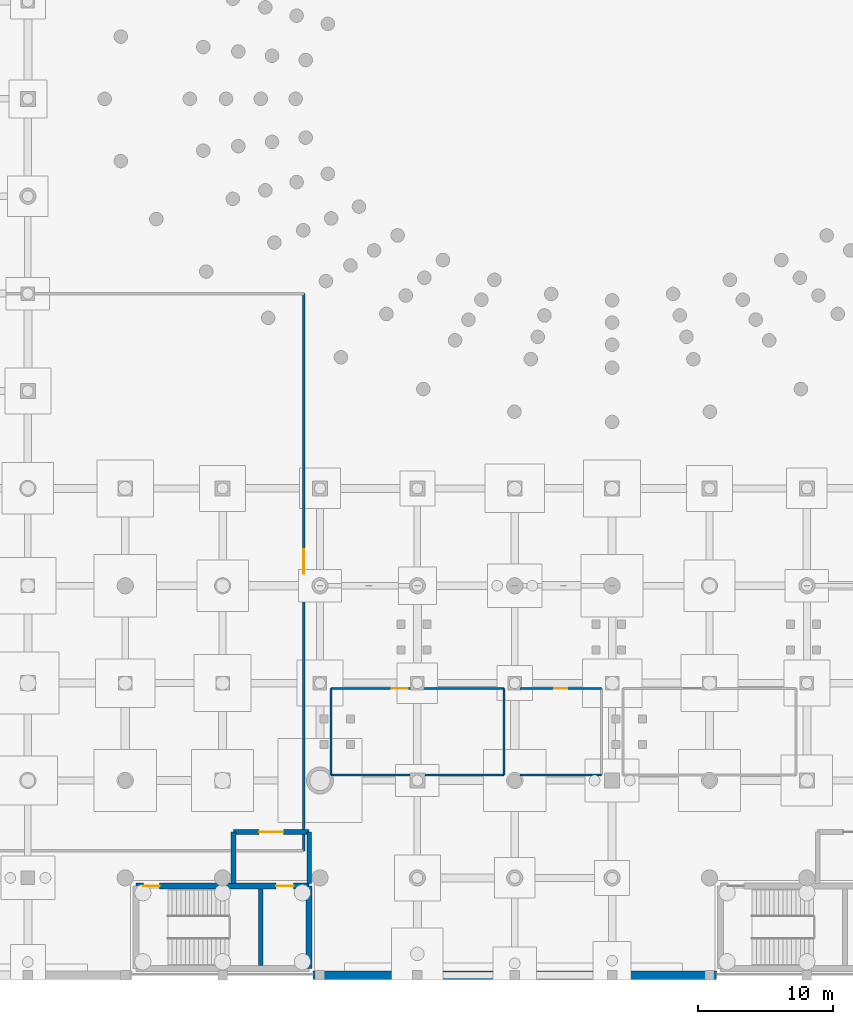
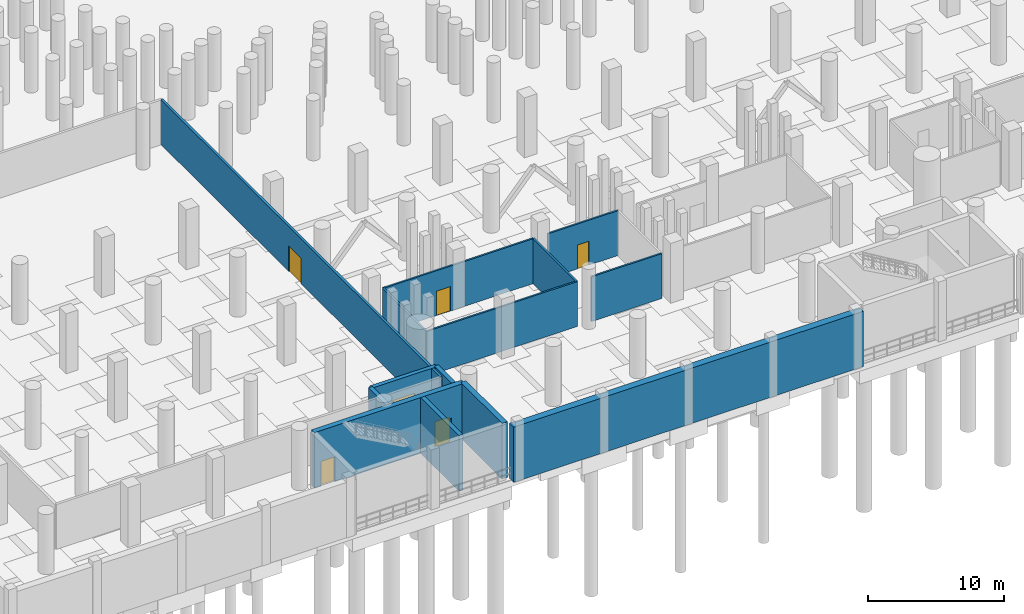
# One storey, part 22 of 37: 14 walls, 6 doors, 6 openings.
"""IFC4 building model written with IfcOpenShell, lengths in metres."""

import ifcopenshell
import ifcopenshell.guid

model = None  # the IFC model being written
_history = None  # IfcOwnerHistory: only IFC2X3 demands one
_inside = {}  # id of a spatial element -> (the spatial element, [elements in it])
_under = {}  # id of a project, library or spatial element -> (it, [spatial elements below it])
_declared = {}  # id of a project -> (the project, [libraries it declares])
_typed = {}  # id of a type object -> (the type object, [elements of that type])
_made_of = {}  # id of a material, layer set ... -> (it, [elements and type objects made of it])


def new_model(schema):
    """Start an empty IFC model of exactly this schema.

    Asked for "IFC4X3", IfcOpenShell would pick the latest addendum, in which some entities
    have other attributes; the version numbers below select the first issue.
    IFC2X3 requires an IfcOwnerHistory on every rooted entity: one is made here for all.
    """
    global model, _history
    if schema == "IFC4X3":
        model = ifcopenshell.file(schema_version=(4, 3, 0, 0))
    else:
        model = ifcopenshell.file(schema=schema)
    _inside.clear()
    _under.clear()
    _declared.clear()
    _typed.clear()
    _made_of.clear()
    _history = None
    if model.schema == "IFC2X3":
        org = make("IfcOrganization", Name="unknown")
        user = make(
            "IfcPersonAndOrganization",
            ThePerson=make("IfcPerson", FamilyName="unknown"),
            TheOrganization=org,
        )
        app = make(
            "IfcApplication",
            ApplicationDeveloper=org,
            Version="unknown",
            ApplicationFullName="unknown",
            ApplicationIdentifier="unknown",
        )
        _history = make(
            "IfcOwnerHistory",
            OwningUser=user,
            OwningApplication=app,
            ChangeAction="ADDED",
            CreationDate=0,
        )
    return model


def make(cls, **values):
    """One entity of the class cls with the attributes given. An attribute that is None is left unset."""
    return model.create_entity(
        cls, **{name: value for name, value in values.items() if value is not None}
    )


def rooted(cls, **values):
    """An entity with a GlobalId (a new one), such as an element, a storey or a relation."""
    return make(cls, GlobalId=ifcopenshell.guid.new(), OwnerHistory=_history, **values)


def si_unit(unit_type, name, prefix=None):
    """IfcSIUnit, for example si_unit("LENGTHUNIT", "METRE", prefix="MILLI")."""
    return make("IfcSIUnit", UnitType=unit_type, Prefix=prefix, Name=name)


def assignment(units):
    """IfcUnitAssignment: the units of a project."""
    return None if units is None else make("IfcUnitAssignment", Units=units)


def point(xyz):
    """IfcCartesianPoint."""
    return None if xyz is None else make("IfcCartesianPoint", Coordinates=xyz)


def direction(xyz):
    """IfcDirection."""
    return None if xyz is None else make("IfcDirection", DirectionRatios=xyz)


def frame(location, z_axis=None, x_axis=None):
    """IfcAxis2Placement3D, a coordinate frame: its origin and axes. An axis left out is left unset."""
    return make(
        "IfcAxis2Placement3D",
        Location=point(location),
        Axis=direction(z_axis),
        RefDirection=direction(x_axis),
    )


def frame_2d(location, x_axis=None):
    """IfcAxis2Placement2D, a coordinate frame in the plane: its origin and x axis."""
    return make(
        "IfcAxis2Placement2D", Location=point(location), RefDirection=direction(x_axis)
    )


def origin():
    """The frame at (0, 0, 0) with its axes left unset."""
    return frame((0.0, 0.0, 0.0))


def place(relative_to, where):
    """IfcLocalPlacement: puts the frame where relative to a parent placement (None: the world)."""
    return make(
        "IfcLocalPlacement", PlacementRelTo=relative_to, RelativePlacement=where
    )


def context(
    kind, dimensions, precision=None, world=None, true_north=None, identifier=None
):
    """IfcGeometricRepresentationContext, for example the 3D "Model" context."""
    return make(
        "IfcGeometricRepresentationContext",
        ContextIdentifier=identifier,
        ContextType=kind,
        CoordinateSpaceDimension=dimensions,
        Precision=precision,
        WorldCoordinateSystem=world,
        TrueNorth=true_north,
    )


def subcontext(parent, identifier, kind, view, scale=None):
    """IfcGeometricRepresentationSubContext, for example "Body" below "Model"."""
    return make(
        "IfcGeometricRepresentationSubContext",
        ContextIdentifier=identifier,
        ContextType=kind,
        ParentContext=parent,
        TargetScale=scale,
        TargetView=view,
    )


def project(units=None, contexts=None):
    """IfcProject with its units and contexts."""
    return rooted(
        "IfcProject",
        Name="project",
        RepresentationContexts=contexts,
        UnitsInContext=assignment(units),
    )


def spatial(cls, under=None, at=None, **own):
    """A site, building, storey or space (cls), placed at a placement, below another one or the project."""
    s = rooted(cls, ObjectPlacement=at, **own)
    if under is not None:
        _under.setdefault(under.id(), (under, []))[1].append(s)
    return s


def profile(cls, at=None, kind="AREA", **sizes):
    """A parametric profile (cls). Its sizes go by their IFC names, for example OverallWidth=200.0."""
    return make(cls, ProfileType=kind, Position=at, **sizes)


def rectangle(**sizes):
    """IfcRectangleProfileDef."""
    return profile("IfcRectangleProfileDef", **sizes)


def extrude(swept, where, along, depth):
    """IfcExtrudedAreaSolid: the profile swept, set in the frame where, extruded along a direction by depth."""
    return make(
        "IfcExtrudedAreaSolid",
        SweptArea=swept,
        Position=where,
        ExtrudedDirection=direction(along),
        Depth=depth,
    )


def shape(context_of_items, identifier, shape_type, items):
    """IfcShapeRepresentation: the items that make up one representation, for example the "Body"."""
    return make(
        "IfcShapeRepresentation",
        ContextOfItems=context_of_items,
        RepresentationIdentifier=identifier,
        RepresentationType=shape_type,
        Items=items,
    )


def material(Name=None, Category=None):
    """IfcMaterial."""
    return make("IfcMaterial", Name=Name, Category=Category)


def layer(
    of_material, thickness, ventilated=None, Name=None, Category=None, Priority=None
):
    """IfcMaterialLayer: one layer of a wall or slab, of a material (None: an air gap)."""
    return make(
        "IfcMaterialLayer",
        Material=of_material,
        LayerThickness=thickness,
        IsVentilated=ventilated,
        Name=Name,
        Category=Category,
        Priority=Priority,
    )


def layer_set(layers, Name=None):
    """IfcMaterialLayerSet."""
    return make("IfcMaterialLayerSet", MaterialLayers=layers, LayerSetName=Name)


def made_of(thing, what):
    """Note that an element or type object is made of a material, layer set ...; save() writes the relation."""
    if what is not None:
        _made_of.setdefault(what.id(), (what, []))[1].append(thing)
    return thing


def type_object(cls, material=None, **own):
    """A type object (cls), such as IfcWallType, which elements share."""
    return made_of(rooted(cls, **own), material)


def element(
    cls,
    number,
    at=None,
    inside=None,
    cuts=None,
    type_object=None,
    material=None,
    context=None,
    identifier="Body",
    shape_type=None,
    held_by="IfcProductDefinitionShape",
    body=None,
    shapes=None,
    **own,
):
    """One element of the class cls, such as IfcWall. Its Tag is "e" and its number.

    at: its placement. inside: the storey or other place that contains it. cuts: it is an
    opening in that element (IfcRelVoidsElement). A single representation is given by context,
    identifier, shape_type and body (its items); several are given by shapes. held_by: the class
    of the entity that holds the representations. save() writes the other relations.
    """
    e = rooted(cls, Tag="e%d" % number, ObjectPlacement=at, **own)
    if body is not None:
        shapes = [shape(context, identifier, shape_type, body)]
    if shapes is not None:
        e.Representation = make(held_by, Representations=shapes)
    if inside is not None:
        _inside.setdefault(inside.id(), (inside, []))[1].append(e)
    if cuts is not None:
        rooted(
            "IfcRelVoidsElement", RelatingBuildingElement=cuts, RelatedOpeningElement=e
        )
    if type_object is not None:
        _typed.setdefault(type_object.id(), (type_object, []))[1].append(e)
    return made_of(e, material)


def fill(opening, filler):
    """IfcRelFillsElement: the door or window that sits in an opening."""
    return rooted(
        "IfcRelFillsElement",
        RelatingOpeningElement=opening,
        RelatedBuildingElement=filler,
    )


def aggregate(whole, parts):
    """IfcRelAggregates: a whole, such as a stair, and the parts it consists of."""
    return rooted("IfcRelAggregates", RelatingObject=whole, RelatedObjects=parts)


def save(model, path):
    """Write the relations noted so far, then the file.

    IfcRelAggregates (storeys below a building ...), IfcRelContainedInSpatialStructure (elements
    in a storey), IfcRelDefinesByType, IfcRelAssociatesMaterial and IfcRelDeclares: one each for
    every whole, place, type object, material and project.
    """
    for whole, parts in _under.values():
        aggregate(whole, parts)
    for where, things in _inside.values():
        rooted(
            "IfcRelContainedInSpatialStructure",
            RelatedElements=things,
            RelatingStructure=where,
        )
    for kind, things in _typed.values():
        rooted("IfcRelDefinesByType", RelatedObjects=things, RelatingType=kind)
    for what, things in _made_of.values():
        rooted("IfcRelAssociatesMaterial", RelatedObjects=things, RelatingMaterial=what)
    for by, libraries in _declared.values():
        rooted("IfcRelDeclares", RelatingContext=by, RelatedDefinitions=libraries)
    model.write(path)


model = new_model("IFC4")

# Units and contexts
model_context = context("Model", 3, precision=1e-05, world=origin(), true_north=direction((0.0, 1.0)))
body_context = subcontext(model_context, "Body", "Model", "MODEL_VIEW")
ifc_project = project(units=[si_unit("LENGTHUNIT", "METRE"), si_unit("AREAUNIT", "SQUARE_METRE"), si_unit("VOLUMEUNIT", "CUBIC_METRE"), si_unit("PLANEANGLEUNIT", "RADIAN"), si_unit("MASSUNIT", "GRAM", prefix="KILO")], contexts=[model_context])

# Site, building, storey
site_placement = place(None, origin())
site = spatial("IfcSite", under=ifc_project, at=site_placement, CompositionType="ELEMENT")
building_placement = place(site_placement, origin())
building = spatial("IfcBuilding", under=site, at=building_placement, Name="Qandorah Velis Arena", CompositionType="ELEMENT")
storey_placement = place(building_placement, frame((0.0, 0.0, -5.39990234375)))
storey = spatial("IfcBuildingStorey", under=building, at=storey_placement, Name="B1", CompositionType="ELEMENT", Elevation=-5.39990234375)

# Wall, opening, door
ifc_material_1 = material(Name="Concrete C35/45", Category="concrete")
ifc_layer_1 = layer(ifc_material_1, 0.199951171875)
ifc_layer_set_1 = layer_set([ifc_layer_1], Name="Concrete C35/45")
wall_type_1 = type_object("IfcWallType", Name="ARC-WAL-FD60-200", PredefinedType="PARTITIONING", material=ifc_layer_set_1)
wall_1_placement = place(storey_placement, frame((42.0, 9.199951171875, 0.0), z_axis=(0.0, 0.0, 1.0), x_axis=(0.0, 1.0, 0.0)))
wall_1 = element("IfcWall", 1, at=wall_1_placement, inside=storey, type_object=wall_type_1, Name="Interior partition B1-CP-HALL (E)", PredefinedType="PARTITIONING", context=body_context, shape_type="SweptSolid", body=[
    extrude(rectangle(XDim=41.199951171875, YDim=0.199951171875, at=frame_2d((20.60009765625, 0.0))), origin(), (0.0, 0.0, 1.0), 4.039794921875),
])
opening_1_placement = place(wall_1_placement, frame((20.5, 0.0, 0.0)))
opening_1 = element("IfcOpeningElement", 2, at=opening_1_placement, cuts=wall_1, Name="Opening FD1", PredefinedType="OPENING", context=body_context, shape_type="SweptSolid", body=[
    extrude(rectangle(XDim=1.800048828125, YDim=2.300048828125, at=frame_2d((0.89990234375, 1.14990234375))), frame((0.0, 0.10986328125, 0.0), z_axis=(0.0, -1.0, 0.0), x_axis=(1.0, 0.0, 0.0)), (0.0, 0.0, 1.0), 0.219970703125),
])
ifc_material_2 = material(Name="Insulated fire-rated double steel door", Category="steel")
door_type_1 = type_object("IfcDoorType", Name="ARC-DR-FD1800", OperationType="NOTDEFINED", PredefinedType="DOOR", material=ifc_material_2)
door_1_placement = place(opening_1_placement, frame((1.800048828125, 0.0, 0.0), z_axis=(0.0, 0.0, 1.0), x_axis=(-1.0, 0.0, 0.0)))
door_1 = element("IfcDoor", 3, at=door_1_placement, inside=storey, type_object=door_type_1, Name="Door B1-CP-HALL", OperationType="DOUBLE_DOOR_SINGLE_SWING", OverallHeight=2.300048828125, OverallWidth=1.800048828125, PredefinedType="DOOR", context=body_context, shape_type="SweptSolid", body=[
    extrude(rectangle(XDim=1.800048828125, YDim=2.300048828125, at=frame_2d((0.89990234375, 1.14990234375))), frame((0.0, 0.02490234375, 0.0), z_axis=(0.0, -1.0, 0.0), x_axis=(1.0, 0.0, 0.0)), (0.0, 0.0, 1.0), 0.050048828125),
])
fill(opening_1, door_1)

# Walls
ifc_layer_2 = layer(ifc_material_1, 0.14990234375)
ifc_layer_set_2 = layer_set([ifc_layer_2], Name="Concrete C35/45")
wall_type_2 = type_object("IfcWallType", Name="ARC-WAL-PART150", PredefinedType="PARTITIONING", material=ifc_layer_set_2)
wall_2_placement = place(storey_placement, frame((44.0, 14.800048828125, 0.0), z_axis=(0.0, 0.0, 1.0), x_axis=(1.0, 0.0, 0.0)))
element("IfcWall", 4, at=wall_2_placement, inside=storey, type_object=wall_type_2, Name="Interior partition B1-ATH-HOME (S)", PredefinedType="PARTITIONING", context=body_context, shape_type="SweptSolid", body=[
    extrude(rectangle(XDim=12.800048828125, YDim=0.14990234375, at=frame_2d((6.39990234375, 0.0))), origin(), (0.0, 0.0, 1.0), 4.039794921875),
])
wall_3_placement = place(storey_placement, frame((56.800048828125, 14.800048828125, 0.0), z_axis=(0.0, 0.0, 1.0), x_axis=(0.0, 1.0, 0.0)))
element("IfcWall", 5, at=wall_3_placement, inside=storey, type_object=wall_type_2, Name="Interior partition B1-ATH-HOME (E)", PredefinedType="PARTITIONING", context=body_context, shape_type="SweptSolid", body=[
    extrude(rectangle(XDim=6.39990234375, YDim=0.14990234375, at=frame_2d((3.199951171875, 0.0))), origin(), (0.0, 0.0, 1.0), 4.039794921875),
])

# Wall, opening, door
wall_4_placement = place(storey_placement, frame((56.800048828125, 21.199951171875, 0.0), z_axis=(0.0, 0.0, 1.0), x_axis=(-1.0, 0.0, 0.0)))
wall_4 = element("IfcWall", 6, at=wall_4_placement, inside=storey, type_object=wall_type_2, Name="Interior partition B1-ATH-HOME (N)", PredefinedType="PARTITIONING", context=body_context, shape_type="SweptSolid", body=[
    extrude(rectangle(XDim=12.800048828125, YDim=0.14990234375, at=frame_2d((6.39990234375, 0.0))), origin(), (0.0, 0.0, 1.0), 4.039794921875),
])
opening_2_placement = place(wall_4_placement, frame((7.10009765625, 0.0, 0.0)))
opening_2 = element("IfcOpeningElement", 7, at=opening_2_placement, cuts=wall_4, Name="Opening D2", PredefinedType="OPENING", context=body_context, shape_type="SweptSolid", body=[
    extrude(rectangle(XDim=1.199951171875, YDim=2.199951171875, at=frame_2d((0.60009765625, 1.10009765625))), frame((0.0, 0.0849609375, 0.0), z_axis=(0.0, -1.0, 0.0), x_axis=(1.0, 0.0, 0.0)), (0.0, 0.0, 1.0), 0.169921875),
])
ifc_material_3 = material(Name="Solid-core hardwood veneer door", Category="wood")
door_type_2 = type_object("IfcDoorType", Name="ARC-DR-INT1200", OperationType="NOTDEFINED", PredefinedType="DOOR", material=ifc_material_3)
door_2_placement = place(opening_2_placement, origin())
door_2 = element("IfcDoor", 8, at=door_2_placement, inside=storey, type_object=door_type_2, Name="Door B1-ATH-HOME", OperationType="SINGLE_SWING_LEFT", OverallHeight=2.199951171875, OverallWidth=1.199951171875, PredefinedType="DOOR", context=body_context, shape_type="SweptSolid", body=[
    extrude(rectangle(XDim=1.199951171875, YDim=2.199951171875, at=frame_2d((0.60009765625, 1.10009765625))), frame((0.0, 0.02490234375, 0.0), z_axis=(0.0, -1.0, 0.0), x_axis=(1.0, 0.0, 0.0)), (0.0, 0.0, 1.0), 0.050048828125),
])
fill(opening_2, door_2)

# Walls
wall_5_placement = place(storey_placement, frame((44.0, 21.199951171875, 0.0), z_axis=(0.0, 0.0, 1.0), x_axis=(0.0, -1.0, 0.0)))
element("IfcWall", 9, at=wall_5_placement, inside=storey, type_object=wall_type_2, Name="Interior partition B1-ATH-HOME (W)", PredefinedType="PARTITIONING", context=body_context, shape_type="SweptSolid", body=[
    extrude(rectangle(XDim=6.39990234375, YDim=0.14990234375, at=frame_2d((3.199951171875, 0.0))), origin(), (0.0, 0.0, 1.0), 4.039794921875),
])
wall_6_placement = place(storey_placement, frame((58.0, 14.800048828125, 0.0), z_axis=(0.0, 0.0, 1.0), x_axis=(1.0, 0.0, 0.0)))
element("IfcWall", 10, at=wall_6_placement, inside=storey, type_object=wall_type_2, Name="Interior partition B1-SHW-HOME (S)", PredefinedType="PARTITIONING", context=body_context, shape_type="SweptSolid", body=[
    extrude(rectangle(XDim=6.0, YDim=0.14990234375, at=frame_2d((3.0, 0.0))), origin(), (0.0, 0.0, 1.0), 4.039794921875),
])

# Wall, opening, door
wall_7_placement = place(storey_placement, frame((64.0, 21.199951171875, 0.0), z_axis=(0.0, 0.0, 1.0), x_axis=(-1.0, 0.0, 0.0)))
wall_7 = element("IfcWall", 11, at=wall_7_placement, inside=storey, type_object=wall_type_2, Name="Interior partition B1-SHW-HOME (N)", PredefinedType="PARTITIONING", context=body_context, shape_type="SweptSolid", body=[
    extrude(rectangle(XDim=6.0, YDim=0.14990234375, at=frame_2d((3.0, 0.0))), origin(), (0.0, 0.0, 1.0), 4.039794921875),
])
opening_3_placement = place(wall_7_placement, frame((2.52490234375, 0.0, 0.0)))
opening_3 = element("IfcOpeningElement", 12, at=opening_3_placement, cuts=wall_7, Name="Opening D4", PredefinedType="OPENING", context=body_context, shape_type="SweptSolid", body=[
    extrude(rectangle(XDim=0.949951171875, YDim=2.14990234375, at=frame_2d((0.47509765625, 1.074951171875))), frame((0.0, 0.0849609375, 0.0), z_axis=(0.0, -1.0, 0.0), x_axis=(1.0, 0.0, 0.0)), (0.0, 0.0, 1.0), 0.169921875),
])
ifc_material_4 = material(Name="Moisture-resistant laminate door")
door_type_3 = type_object("IfcDoorType", Name="ARC-DR-WC950", OperationType="NOTDEFINED", PredefinedType="DOOR", material=ifc_material_4)
door_3_placement = place(opening_3_placement, frame((0.949951171875, 0.0, 0.0), z_axis=(0.0, 0.0, 1.0), x_axis=(-1.0, 0.0, 0.0)))
door_3 = element("IfcDoor", 13, at=door_3_placement, inside=storey, type_object=door_type_3, Name="Door B1-SHW-HOME", OperationType="SINGLE_SWING_RIGHT", OverallHeight=2.14990234375, OverallWidth=0.949951171875, PredefinedType="DOOR", context=body_context, shape_type="SweptSolid", body=[
    extrude(rectangle(XDim=0.949951171875, YDim=2.14990234375, at=frame_2d((0.47509765625, 1.074951171875))), frame((0.0, 0.02490234375, 0.0), z_axis=(0.0, -1.0, 0.0), x_axis=(1.0, 0.0, 0.0)), (0.0, 0.0, 1.0), 0.050048828125),
])
fill(opening_3, door_3)

# Wall, openings, doors
ifc_material_5 = material(Name="Concrete C40/50", Category="concrete")
ifc_layer_3 = layer(ifc_material_5, 0.449951171875)
ifc_layer_set_3 = layer_set([ifc_layer_3], Name="Concrete C40/50")
wall_type_3 = type_object("IfcWallType", Name="STR-WAL-CORE450", PredefinedType="SHEAR", material=ifc_layer_set_3)
wall_8_placement = place(storey_placement, frame((29.60009765625, 6.60009765625, 0.0), z_axis=(0.0, 0.0, 1.0), x_axis=(1.0, 0.0, 0.0)))
wall_8 = element("IfcWall", 14, at=wall_8_placement, inside=storey, type_object=wall_type_3, Name="Core CORE-01 shear wall N (B1)", PredefinedType="SHEAR", context=body_context, shape_type="SweptSolid", body=[
    extrude(rectangle(XDim=12.7998046875, YDim=0.449951171875, at=frame_2d((6.39990234375, 0.0))), origin(), (0.0, 0.0, 1.0), 5.02001953125),
])
opening_4_placement = place(wall_8_placement, frame((0.550048828125, 0.0, 0.0)))
opening_4 = element("IfcOpeningElement", 15, at=opening_4_placement, cuts=wall_8, Name="Opening SD1", PredefinedType="OPENING", context=body_context, shape_type="SweptSolid", body=[
    extrude(rectangle(XDim=1.199951171875, YDim=2.25, at=frame_2d((0.60009765625, 1.125))), frame((0.0, 0.23486328125, 0.0), z_axis=(0.0, -1.0, 0.0), x_axis=(1.0, 0.0, 0.0)), (0.0, 0.0, 1.0), 0.469970703125),
])
opening_5_placement = place(wall_8_placement, frame((10.35791015625, 0.0, 0.0)))
opening_5 = element("IfcOpeningElement", 16, at=opening_5_placement, cuts=wall_8, Name="Opening LD2", PredefinedType="OPENING", context=body_context, shape_type="SweptSolid", body=[
    extrude(rectangle(XDim=1.300048828125, YDim=2.25, at=frame_2d((0.64990234375, 1.125))), frame((0.0, 0.23486328125, 0.0), z_axis=(0.0, -1.0, 0.0), x_axis=(1.0, 0.0, 0.0)), (0.0, 0.0, 1.0), 0.469970703125),
])
ifc_material_6 = material(Name="Firefighting stainless sliding lift landing door", Category="steel")
door_type_4 = type_object("IfcDoorType", Name="ARC-DR-LD1300", OperationType="NOTDEFINED", PredefinedType="DOOR", material=ifc_material_6)
door_4_placement = place(opening_5_placement, origin())
door_4 = element("IfcDoor", 17, at=door_4_placement, inside=storey, type_object=door_type_4, Name="Lift FL1 sliding landing door (B1)", OperationType="SLIDING_TO_LEFT", OverallHeight=2.25, OverallWidth=1.300048828125, PredefinedType="DOOR", context=body_context, shape_type="SweptSolid", body=[
    extrude(rectangle(XDim=1.300048828125, YDim=2.25, at=frame_2d((0.64990234375, 1.125))), frame((0.0, 0.02490234375, 0.0), z_axis=(0.0, -1.0, 0.0), x_axis=(1.0, 0.0, 0.0)), (0.0, 0.0, 1.0), 0.050048828125),
])
fill(opening_5, door_4)
ifc_material_7 = material(Name="Self-closing fire-rated stair steel door", Category="steel")
door_type_5 = type_object("IfcDoorType", Name="ARC-DR-ST1200", OperationType="NOTDEFINED", PredefinedType="DOOR", material=ifc_material_7)
door_5_placement = place(opening_4_placement, frame((1.199951171875, 0.0, 0.0), z_axis=(0.0, 0.0, 1.0), x_axis=(-1.0, 0.0, 0.0)))
door_5 = element("IfcDoor", 18, at=door_5_placement, inside=storey, type_object=door_type_5, Name="Stair ST1 fire door (B1)", OperationType="SINGLE_SWING_RIGHT", OverallHeight=2.25, OverallWidth=1.199951171875, PredefinedType="DOOR", context=body_context, shape_type="SweptSolid", body=[
    extrude(rectangle(XDim=1.199951171875, YDim=2.25, at=frame_2d((0.60009765625, 1.125))), frame((0.0, 0.02490234375, 0.0), z_axis=(0.0, -1.0, 0.0), x_axis=(1.0, 0.0, 0.0)), (0.0, 0.0, 1.0), 0.050048828125),
])
fill(opening_4, door_5)

# Walls
wall_9_placement = place(storey_placement, frame((42.39990234375, 0.5, 0.0), z_axis=(0.0, 0.0, 1.0), x_axis=(0.0, 1.0, 0.0)))
element("IfcWall", 19, at=wall_9_placement, inside=storey, type_object=wall_type_3, Name="Core CORE-01 shear wall E (B1)", PredefinedType="SHEAR", context=body_context, shape_type="SweptSolid", body=[
    extrude(rectangle(XDim=6.10009765625, YDim=0.449951171875, at=frame_2d((3.050048828125, 0.0))), origin(), (0.0, 0.0, 1.0), 5.02001953125),
])
ifc_layer_4 = layer(ifc_material_5, 0.60009765625)
ifc_layer_set_4 = layer_set([ifc_layer_4], Name="Concrete C40/50")
wall_type_4 = type_object("IfcWallType", Name="STR-WAL-RET600", PredefinedType="USERDEFINED", material=ifc_layer_set_4)
wall_10_placement = place(storey_placement, frame((42.699951171875, 0.0, 0.0), z_axis=(0.0, 0.0, 1.0), x_axis=(1.0, 0.0, 0.0)))
element("IfcWall", 20, at=wall_10_placement, inside=storey, type_object=wall_type_4, Name="Basement retaining wall RET-S2", ObjectType="RETAINING WALL", PredefinedType="USERDEFINED", context=body_context, shape_type="SweptSolid", body=[
    extrude(rectangle(XDim=29.800048828125, YDim=0.60009765625, at=frame_2d((14.89990234375, 0.0))), origin(), (0.0, 0.0, 1.0), 4.97998046875),
])
ifc_layer_5 = layer(ifc_material_5, 0.35009765625)
ifc_layer_set_5 = layer_set([ifc_layer_5], Name="Concrete C40/50")
wall_type_5 = type_object("IfcWallType", Name="STR-WAL-SH350", PredefinedType="SHEAR", material=ifc_layer_set_5)
wall_11_placement = place(storey_placement, frame((38.81591796875, 0.72509765625, 0.0), z_axis=(0.0, 0.0, 1.0), x_axis=(0.0, 1.0, 0.0)))
element("IfcWall", 21, at=wall_11_placement, inside=storey, type_object=wall_type_5, Name="Core CORE-01 shaft divider shear wall (B1)", PredefinedType="SHEAR", context=body_context, shape_type="SweptSolid", body=[
    extrude(rectangle(XDim=5.64990234375, YDim=0.35009765625, at=frame_2d((2.824951171875, 0.0))), origin(), (0.0, 0.0, 1.0), 5.02001953125),
])
wall_12_placement = place(storey_placement, frame((42.39990234375, 6.800048828125, 0.0), z_axis=(0.0, 0.0, 1.0), x_axis=(0.0, 1.0, 0.0)))
element("IfcWall", 22, at=wall_12_placement, inside=storey, type_object=wall_type_5, Name="Interior partition FFL-FL1-B1 (E)", PredefinedType="SHEAR", context=body_context, shape_type="SweptSolid", body=[
    extrude(rectangle(XDim=3.800048828125, YDim=0.35009765625, at=frame_2d((1.89990234375, 0.0))), origin(), (0.0, 0.0, 1.0), 4.039794921875),
])

# Wall, opening, door
wall_13_placement = place(storey_placement, frame((42.39990234375, 10.60009765625, 0.0), z_axis=(0.0, 0.0, 1.0), x_axis=(-1.0, 0.0, 0.0)))
wall_13 = element("IfcWall", 23, at=wall_13_placement, inside=storey, type_object=wall_type_5, Name="Interior partition FFL-FL1-B1 (N)", PredefinedType="SHEAR", context=body_context, shape_type="SweptSolid", body=[
    extrude(rectangle(XDim=5.599853515625, YDim=0.35009765625, at=frame_2d((2.7998046875, 0.0))), origin(), (0.0, 0.0, 1.0), 4.039794921875),
])
opening_6_placement = place(wall_13_placement, frame((1.89990234375, 0.0, 0.0)))
opening_6 = element("IfcOpeningElement", 24, at=opening_6_placement, cuts=wall_13, Name="Opening FD1", PredefinedType="OPENING", context=body_context, shape_type="SweptSolid", body=[
    extrude(rectangle(XDim=1.800048828125, YDim=2.300048828125, at=frame_2d((0.89990234375, 1.14990234375))), frame((0.0, 0.18505859375, 0.0), z_axis=(0.0, -1.0, 0.0), x_axis=(1.0, 0.0, 0.0)), (0.0, 0.0, 1.0), 0.3701171875),
])
door_6_placement = place(opening_6_placement, frame((1.800048828125, 0.0, 0.0), z_axis=(0.0, 0.0, 1.0), x_axis=(-1.0, 0.0, 0.0)))
door_6 = element("IfcDoor", 25, at=door_6_placement, inside=storey, type_object=door_type_1, Name="Door FFL-FL1-B1", OperationType="DOUBLE_DOOR_SINGLE_SWING", OverallHeight=2.300048828125, OverallWidth=1.800048828125, PredefinedType="DOOR", context=body_context, shape_type="SweptSolid", body=[
    extrude(rectangle(XDim=1.800048828125, YDim=2.300048828125, at=frame_2d((0.89990234375, 1.14990234375))), frame((0.0, 0.02490234375, 0.0), z_axis=(0.0, -1.0, 0.0), x_axis=(1.0, 0.0, 0.0)), (0.0, 0.0, 1.0), 0.050048828125),
])
fill(opening_6, door_6)

# Wall
wall_14_placement = place(storey_placement, frame((36.800048828125, 10.60009765625, 0.0), z_axis=(0.0, 0.0, 1.0), x_axis=(0.0, -1.0, 0.0)))
element("IfcWall", 26, at=wall_14_placement, inside=storey, type_object=wall_type_5, Name="Interior partition FFL-FL1-B1 (W)", PredefinedType="SHEAR", context=body_context, shape_type="SweptSolid", body=[
    extrude(rectangle(XDim=3.800048828125, YDim=0.35009765625, at=frame_2d((1.89990234375, 0.0))), origin(), (0.0, 0.0, 1.0), 4.039794921875),
])

save(model, "model.ifc")
